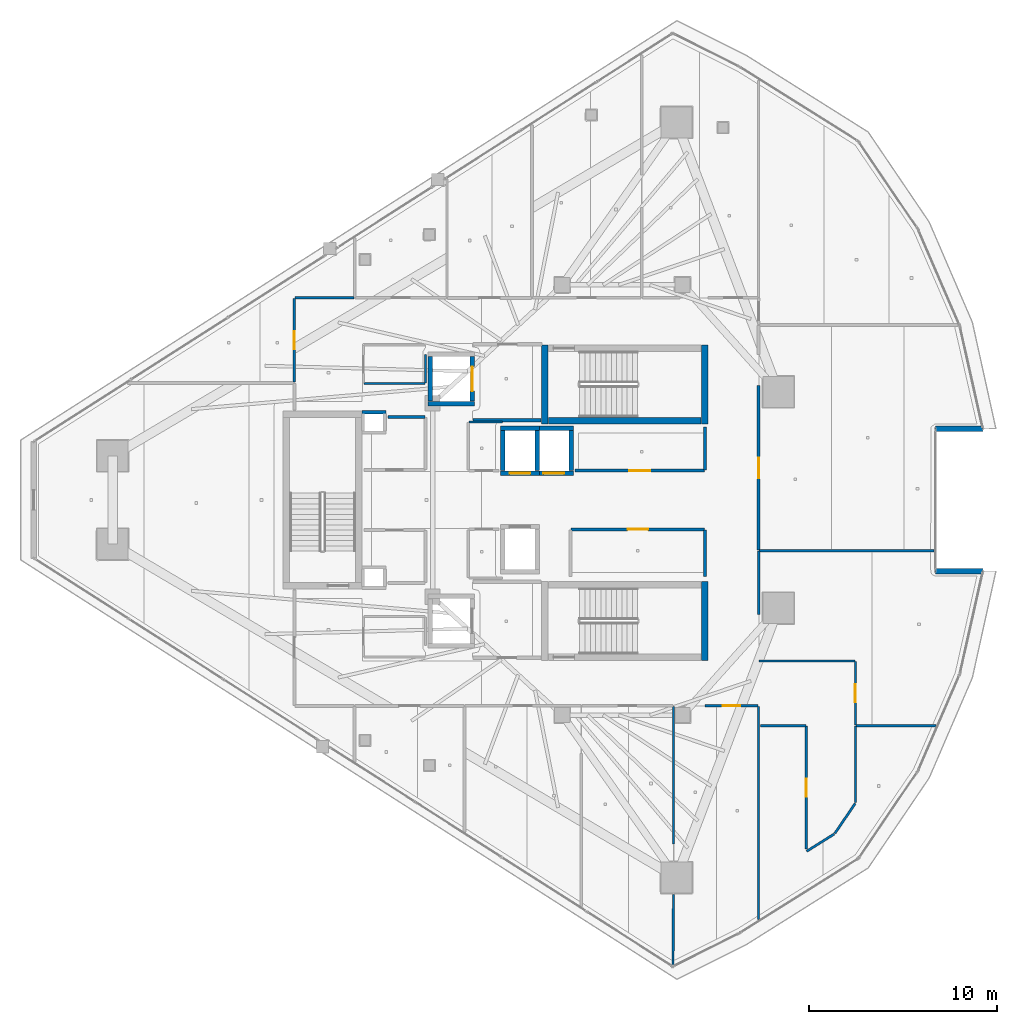
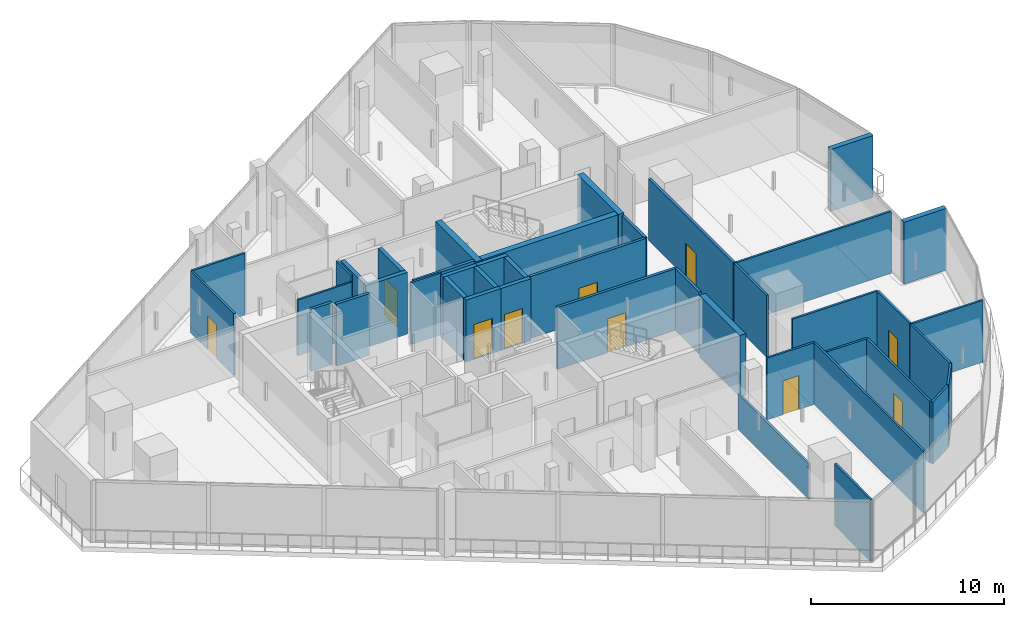
# One storey, part 24 of 33: 43 walls, 10 doors, 10 openings.
"""IFC4 building model written with IfcOpenShell, lengths in metres."""

from ifc_helpers import new_model, si_unit, direction, frame, frame_2d, origin, place, context, subcontext, project, spatial, rectangle, extrude, material, layer, layer_set, type_object, element, fill, save


model = new_model("IFC4")

# Units and contexts
model_context = context("Model", 3, precision=1e-05, world=origin(), true_north=direction((0.0, 1.0)))
body_context = subcontext(model_context, "Body", "Model", "MODEL_VIEW")
ifc_project = project(units=[si_unit("LENGTHUNIT", "METRE"), si_unit("AREAUNIT", "SQUARE_METRE"), si_unit("VOLUMEUNIT", "CUBIC_METRE"), si_unit("PLANEANGLEUNIT", "RADIAN"), si_unit("MASSUNIT", "GRAM", prefix="KILO")], contexts=[model_context])

# Site, building, storey
site_placement = place(None, origin())
site = spatial("IfcSite", under=ifc_project, at=site_placement, CompositionType="ELEMENT")
building_placement = place(site_placement, origin())
building = spatial("IfcBuilding", under=site, at=building_placement, Name="Qorvath Tower", CompositionType="ELEMENT")
storey_placement = place(building_placement, frame((0.0, 0.0, 280.800048828125)))
storey = spatial("IfcBuildingStorey", under=building, at=storey_placement, Name="L65", CompositionType="ELEMENT", Elevation=280.800048828125)

# Walls
ifc_material_1 = material(Name="Gypsum shaftliner on steel studs", Category="steel")
ifc_layer_1 = layer(ifc_material_1, 0.179931640625)
ifc_layer_set_1 = layer_set([ifc_layer_1], Name="FW-LOBBY")
wall_type_1 = type_object("IfcWallType", Name="FW-LOBBY", PredefinedType="PARTITIONING", material=ifc_layer_set_1)
wall_1_placement = place(storey_placement, frame((-34.260009765625, 4.675048828125, 0.0), z_axis=(0.0, 0.0, 1.0), x_axis=(1.0, 0.0, 0.0)))
element("IfcWall", 1, at=wall_1_placement, inside=storey, type_object=wall_type_1, Name="MEP Riser Shaft Enclosure Wall N-L65-N", PredefinedType="PARTITIONING", context=body_context, shape_type="SweptSolid", body=[
    extrude(rectangle(XDim=1.27001953125, YDim=0.179931640625, at=frame_2d((0.635009765625, 0.0))), origin(), (0.0, 0.0, 1.0), 3.909912109375),
])
wall_2_placement = place(storey_placement, frame((-28.35498046875, 4.25, 0.0), z_axis=(0.0, 0.0, 1.0), x_axis=(1.0, 0.0, 0.0)))
element("IfcWall", 2, at=wall_2_placement, inside=storey, type_object=wall_type_1, Name="Interior Partition IW-T1-L65-001", PredefinedType="PARTITIONING", context=body_context, shape_type="SweptSolid", body=[
    extrude(rectangle(XDim=3.6220703125, YDim=0.179931640625, at=frame_2d((1.81103515625, 0.0))), origin(), (0.0, 0.0, 1.0), 3.909912109375),
])
wall_3_placement = place(storey_placement, frame((-30.90478515625, 4.419921875, 0.0), z_axis=(0.0, 0.0, 1.0), x_axis=(-1.0, 0.0, 0.0)))
element("IfcWall", 3, at=wall_3_placement, inside=storey, type_object=wall_type_1, Name="Interior Partition IW-T1-L65-026", PredefinedType="PARTITIONING", context=body_context, shape_type="SweptSolid", body=[
    extrude(rectangle(XDim=1.97509765625, YDim=0.179931640625, at=frame_2d((0.987548828125, 0.0))), origin(), (0.0, 0.0, 1.0), 3.909912109375),
])

# Wall, opening, door
ifc_material_2 = material(Name="Double acoustic gypsum board on steel studs", Category="steel")
ifc_layer_2 = layer(ifc_material_2, 0.159912109375)
ifc_layer_set_2 = layer_set([ifc_layer_2], Name="IW-ACOUSTIC-160")
wall_type_2 = type_object("IfcWallType", Name="IW-ACOUSTIC-160", PredefinedType="PARTITIONING", material=ifc_layer_set_2)
wall_4_placement = place(storey_placement, frame((-22.933837890625, 1.56005859375, 0.0), z_axis=(0.0, 0.0, 1.0), x_axis=(1.0, 0.0, 0.0)))
wall_4 = element("IfcWall", 4, at=wall_4_placement, inside=storey, type_object=wall_type_2, Name="Interior Partition IW-T1-L65-013", PredefinedType="PARTITIONING", context=body_context, shape_type="SweptSolid", body=[
    extrude(rectangle(XDim=6.908935546875, YDim=0.159912109375, at=frame_2d((3.45458984375, 0.0))), origin(), (0.0, 0.0, 1.0), 3.909912109375),
])
opening_1_placement = place(wall_4_placement, frame((2.904541015625, 0.0, 0.0)))
opening_1 = element("IfcOpeningElement", 5, at=opening_1_placement, cuts=wall_4, Name="Opening D-T1-L65-03", PredefinedType="OPENING", context=body_context, shape_type="SweptSolid", body=[
    extrude(rectangle(XDim=1.10009765625, YDim=2.14990234375, at=frame_2d((0.550048828125, 1.074951171875))), frame((0.0, 0.08984375, 0.0), z_axis=(0.0, -1.0, 0.0), x_axis=(1.0, 0.0, 0.0)), (0.0, 0.0, 1.0), 0.179931640625),
])
ifc_material_3 = material(Name="Anodised aluminium acoustic framed glass", Category="aluminium")
door_type_1 = type_object("IfcDoorType", Name="D-03", OperationType="NOTDEFINED", PredefinedType="DOOR", material=ifc_material_3)
door_1_placement = place(opening_1_placement, origin())
door_1 = element("IfcDoor", 6, at=door_1_placement, inside=storey, type_object=door_type_1, Name="L65-RCN North Executive Support Office Door D-T1-L65-03", OperationType="SINGLE_SWING_RIGHT", OverallHeight=2.14990234375, OverallWidth=1.10009765625, PredefinedType="DOOR", context=body_context, shape_type="SweptSolid", body=[
    extrude(rectangle(XDim=1.10009765625, YDim=2.14990234375, at=frame_2d((0.550048828125, 1.074951171875))), frame((0.0, 0.02490234375, 0.0), z_axis=(0.0, -1.0, 0.0), x_axis=(1.0, 0.0, 0.0)), (0.0, 0.0, 1.0), 0.050048828125),
])
fill(opening_1, door_1)

# Walls
wall_5_placement = place(storey_placement, frame((-16.0, 1.585205078125, 0.0), z_axis=(0.0, 0.0, 1.0), x_axis=(0.0, 1.0, 0.0)))
element("IfcWall", 7, at=wall_5_placement, inside=storey, type_object=wall_type_2, Name="Interior Partition IW-T1-L65-014", PredefinedType="PARTITIONING", context=body_context, shape_type="SweptSolid", body=[
    extrude(rectangle(XDim=2.30224609375, YDim=0.159912109375, at=frame_2d((1.151123046875, 0.0))), origin(), (0.0, 0.0, 1.0), 3.909912109375),
])
wall_6_placement = place(storey_placement, frame((-16.0, -4.0751953125, 0.0), z_axis=(0.0, 0.0, 1.0), x_axis=(0.0, 1.0, 0.0)))
element("IfcWall", 8, at=wall_6_placement, inside=storey, type_object=wall_type_2, Name="Interior Partition IW-T1-L65-016", PredefinedType="PARTITIONING", context=body_context, shape_type="SweptSolid", body=[
    extrude(rectangle(XDim=2.489990234375, YDim=0.159912109375, at=frame_2d((1.2451171875, 0.0))), origin(), (0.0, 0.0, 1.0), 3.909912109375),
])

# Wall, opening, door
wall_7_placement = place(storey_placement, frame((-16.02490234375, -1.56005859375, 0.0), z_axis=(0.0, 0.0, 1.0), x_axis=(-1.0, 0.0, 0.0)))
wall_7 = element("IfcWall", 9, at=wall_7_placement, inside=storey, type_object=wall_type_2, Name="Interior Partition IW-T1-L65-017", PredefinedType="PARTITIONING", context=body_context, shape_type="SweptSolid", body=[
    extrude(rectangle(XDim=7.10009765625, YDim=0.159912109375, at=frame_2d((3.550048828125, 0.0))), origin(), (0.0, 0.0, 1.0), 3.909912109375),
])
opening_2_placement = place(wall_7_placement, frame((3.0, 0.0, 0.0)))
opening_2 = element("IfcOpeningElement", 10, at=opening_2_placement, cuts=wall_7, Name="Opening D-T1-L65-04", PredefinedType="OPENING", context=body_context, shape_type="SweptSolid", body=[
    extrude(rectangle(XDim=1.10009765625, YDim=2.14990234375, at=frame_2d((0.550048828125, 1.074951171875))), frame((0.0, 0.08984375, 0.0), z_axis=(0.0, -1.0, 0.0), x_axis=(1.0, 0.0, 0.0)), (0.0, 0.0, 1.0), 0.179931640625),
])
door_2_placement = place(opening_2_placement, origin())
door_2 = element("IfcDoor", 11, at=door_2_placement, inside=storey, type_object=door_type_1, Name="L65-RCS South Executive Support Office Door D-T1-L65-04", OperationType="SINGLE_SWING_LEFT", OverallHeight=2.14990234375, OverallWidth=1.10009765625, PredefinedType="DOOR", context=body_context, shape_type="SweptSolid", body=[
    extrude(rectangle(XDim=1.10009765625, YDim=2.14990234375, at=frame_2d((0.550048828125, 1.074951171875))), frame((0.0, 0.02490234375, 0.0), z_axis=(0.0, -1.0, 0.0), x_axis=(1.0, 0.0, 0.0)), (0.0, 0.0, 1.0), 0.050048828125),
])
fill(opening_2, door_2)

wall_8_placement = place(storey_placement, frame((-13.14208984375, 6.08984375, 0.0), z_axis=(0.0, 0.0, 1.0), x_axis=(0.0, -1.0, 0.0)))
wall_8 = element("IfcWall", 12, at=wall_8_placement, inside=storey, type_object=wall_type_2, Name="Interior Partition IW-T1-L65-063", PredefinedType="PARTITIONING", context=body_context, shape_type="SweptSolid", body=[
    extrude(rectangle(XDim=8.759033203125, YDim=0.159912109375, at=frame_2d((4.37939453125, 0.0))), origin(), (0.0, 0.0, 1.0), 3.909912109375),
])
opening_3_placement = place(wall_8_placement, frame((3.82958984375, 0.0, 0.0)))
opening_3 = element("IfcOpeningElement", 13, at=opening_3_placement, cuts=wall_8, Name="Opening D-T1-L65-17", PredefinedType="OPENING", context=body_context, shape_type="SweptSolid", body=[
    extrude(rectangle(XDim=1.10009765625, YDim=2.14990234375, at=frame_2d((0.550048828125, 1.074951171875))), frame((0.0, 0.08984375, 0.0), z_axis=(0.0, -1.0, 0.0), x_axis=(1.0, 0.0, 0.0)), (0.0, 0.0, 1.0), 0.179931640625),
])
door_3_placement = place(opening_3_placement, origin())
door_3 = element("IfcDoor", 14, at=door_3_placement, inside=storey, type_object=door_type_1, Name="L65-11 Digital Visualization Suite Door D-T1-L65-17", OperationType="SINGLE_SWING_RIGHT", OverallHeight=2.14990234375, OverallWidth=1.10009765625, PredefinedType="DOOR", context=body_context, shape_type="SweptSolid", body=[
    extrude(rectangle(XDim=1.10009765625, YDim=2.14990234375, at=frame_2d((0.550048828125, 1.074951171875))), frame((0.0, 0.02490234375, 0.0), z_axis=(0.0, -1.0, 0.0), x_axis=(1.0, 0.0, 0.0)), (0.0, 0.0, 1.0), 0.050048828125),
])
fill(opening_3, door_3)

# Walls
ifc_material_4 = material(Name="Gypsum board on metal studs with mineral wool", Category="gypsum")
ifc_layer_3 = layer(ifc_material_4, 0.125)
ifc_layer_set_3 = layer_set([ifc_layer_3], Name="IW-PART-125")
wall_type_3 = type_object("IfcWallType", Name="IW-PART-125", PredefinedType="PARTITIONING", material=ifc_layer_set_3)
wall_9_placement = place(storey_placement, frame((-26.77490234375, 4.14990234375, 0.0), z_axis=(0.0, 0.0, 1.0), x_axis=(-1.0, 0.0, 0.0)))
element("IfcWall", 15, at=wall_9_placement, inside=storey, type_object=wall_type_3, Name="Interior Partition IW-T1-L65-020", PredefinedType="PARTITIONING", context=body_context, shape_type="SweptSolid", body=[
    extrude(rectangle(XDim=1.80029296875, YDim=0.125, at=frame_2d((0.900146484375, 0.0))), origin(), (0.0, 0.0, 1.0), 3.909912109375),
])
wall_10_placement = place(storey_placement, frame((-17.70703125, -24.75146484375, 0.0), z_axis=(0.0, 0.0, 1.0), x_axis=(0.008181544341, 0.999966530606, 0.0)))
element("IfcWall", 16, at=wall_10_placement, inside=storey, type_object=wall_type_3, Name="Interior Partition IW-T1-L65-047", PredefinedType="PARTITIONING", context=body_context, shape_type="SweptSolid", body=[
    extrude(rectangle(XDim=3.760009765625, YDim=0.125, at=frame_2d((1.8798828125, 0.0))), origin(), (0.0, 0.0, 1.0), 3.909912109375),
])
wall_11_placement = place(storey_placement, frame((-17.676025390625, -18.3076171875, 0.0), z_axis=(0.0, 0.0, 1.0), x_axis=(0.0, 1.0, 0.0)))
element("IfcWall", 17, at=wall_11_placement, inside=storey, type_object=wall_type_3, Name="Interior Partition IW-T1-L65-048", PredefinedType="PARTITIONING", context=body_context, shape_type="SweptSolid", body=[
    extrude(rectangle(XDim=7.32470703125, YDim=0.125, at=frame_2d((3.662353515625, 0.0))), origin(), (0.0, 0.0, 1.0), 2.25),
])
wall_12_placement = place(storey_placement, frame((-13.14990234375, -22.34228515625, 0.0), z_axis=(0.0, 0.0, 1.0), x_axis=(0.0, 1.0, 0.0)))
element("IfcWall", 18, at=wall_12_placement, inside=storey, type_object=wall_type_3, Name="Interior Partition IW-T1-L65-049", PredefinedType="PARTITIONING", context=body_context, shape_type="SweptSolid", body=[
    extrude(rectangle(XDim=11.359375, YDim=0.125, at=frame_2d((5.6796875, 0.0))), origin(), (0.0, 0.0, 1.0), 3.909912109375),
])

# Wall, opening, door
wall_13_placement = place(storey_placement, frame((-13.1748046875, -10.9580078125, 0.0), z_axis=(0.0, 0.0, 1.0), x_axis=(-1.0, 0.0, 0.0)))
wall_13 = element("IfcWall", 19, at=wall_13_placement, inside=storey, type_object=wall_type_3, Name="Interior Partition IW-T1-L65-050", PredefinedType="PARTITIONING", context=body_context, shape_type="SweptSolid", body=[
    extrude(rectangle(XDim=2.833740234375, YDim=0.125, at=frame_2d((1.4169921875, 0.0))), origin(), (0.0, 0.0, 1.0), 3.909912109375),
])
opening_4_placement = place(wall_13_placement, frame((0.94189453125, 0.0, 0.0)))
opening_4 = element("IfcOpeningElement", 20, at=opening_4_placement, cuts=wall_13, Name="Opening D-T1-L65-24", PredefinedType="OPENING", context=body_context, shape_type="SweptSolid", body=[
    extrude(rectangle(XDim=0.949951171875, YDim=2.14990234375, at=frame_2d((0.47509765625, 1.074951171875))), frame((0.0, 0.072509765625, 0.0), z_axis=(0.0, -1.0, 0.0), x_axis=(1.0, 0.0, 0.0)), (0.0, 0.0, 1.0), 0.14501953125),
])
ifc_material_5 = material(Name="Solid-core American white oak veneer", Category="wood")
door_type_2 = type_object("IfcDoorType", Name="D-01", OperationType="NOTDEFINED", PredefinedType="DOOR", material=ifc_material_5)
door_4_placement = place(opening_4_placement, origin())
door_4 = element("IfcDoor", 21, at=door_4_placement, inside=storey, type_object=door_type_2, Name="L65-08 Design Pin-Up Atelier Door D-T1-L65-24", OperationType="SINGLE_SWING_LEFT", OverallHeight=2.14990234375, OverallWidth=0.949951171875, PredefinedType="DOOR", context=body_context, shape_type="SweptSolid", body=[
    extrude(rectangle(XDim=0.949951171875, YDim=2.14990234375, at=frame_2d((0.47509765625, 1.074951171875))), frame((0.0, 0.02490234375, 0.0), z_axis=(0.0, -1.0, 0.0), x_axis=(1.0, 0.0, 0.0)), (0.0, 0.0, 1.0), 0.050048828125),
])
fill(opening_4, door_4)

# Walls
wall_14_placement = place(storey_placement, frame((-3.705810546875, -12.018310546875, 0.0), z_axis=(0.0, 0.0, 1.0), x_axis=(-1.0, 0.0, 0.0)))
element("IfcWall", 22, at=wall_14_placement, inside=storey, type_object=wall_type_3, Name="Interior Partition IW-T1-L65-051", PredefinedType="PARTITIONING", context=body_context, shape_type="SweptSolid", body=[
    extrude(rectangle(XDim=4.260986328125, YDim=0.125, at=frame_2d((2.13037109375, 0.0))), origin(), (0.0, 0.0, 1.0), 3.909912109375),
])
wall_15_placement = place(storey_placement, frame((-7.991943359375, -16.107421875, 0.0), z_axis=(0.0, 0.0, 1.0), x_axis=(0.0, 1.0, 0.0)))
element("IfcWall", 23, at=wall_15_placement, inside=storey, type_object=wall_type_3, Name="Interior Partition IW-T1-L65-052", PredefinedType="PARTITIONING", context=body_context, shape_type="SweptSolid", body=[
    extrude(rectangle(XDim=4.064208984375, YDim=0.125, at=frame_2d((2.0322265625, 0.0))), origin(), (0.0, 0.0, 1.0), 3.909912109375),
])
wall_16_placement = place(storey_placement, frame((-9.08837890625, -17.74658203125, 0.0), z_axis=(0.0, 0.0, 1.0), x_axis=(0.561932122231, 0.827183347272, 0.0)))
element("IfcWall", 24, at=wall_16_placement, inside=storey, type_object=wall_type_3, Name="Interior Partition IW-T1-L65-053", PredefinedType="PARTITIONING", context=body_context, shape_type="SweptSolid", body=[
    extrude(rectangle(XDim=1.926513671875, YDim=0.125, at=frame_2d((0.96337890625, 0.0))), origin(), (0.0, 0.0, 1.0), 3.909912109375),
])
wall_17_placement = place(storey_placement, frame((-10.586669921875, -18.69873046875, 0.0), z_axis=(0.0, 0.0, 1.0), x_axis=(0.846980281721, 0.531624305666, 0.0)))
element("IfcWall", 25, at=wall_17_placement, inside=storey, type_object=wall_type_3, Name="Interior Partition IW-T1-L65-054", PredefinedType="PARTITIONING", context=body_context, shape_type="SweptSolid", body=[
    extrude(rectangle(XDim=1.727294921875, YDim=0.125, at=frame_2d((0.86376953125, 0.0))), origin(), (0.0, 0.0, 1.0), 3.909912109375),
])

# Wall, opening, door
wall_18_placement = place(storey_placement, frame((-10.60791015625, -12.043212890625, 0.0), z_axis=(0.0, 0.0, 1.0), x_axis=(0.0, -1.0, 0.0)))
wall_18 = element("IfcWall", 26, at=wall_18_placement, inside=storey, type_object=wall_type_3, Name="Interior Partition IW-T1-L65-055", PredefinedType="PARTITIONING", context=body_context, shape_type="SweptSolid", body=[
    extrude(rectangle(XDim=6.54345703125, YDim=0.125, at=frame_2d((3.271728515625, 0.0))), origin(), (0.0, 0.0, 1.0), 3.909912109375),
])
opening_5_placement = place(wall_18_placement, frame((2.796630859375, 0.0, 0.0)))
opening_5 = element("IfcOpeningElement", 27, at=opening_5_placement, cuts=wall_18, Name="Opening D-T1-L65-15", PredefinedType="OPENING", context=body_context, shape_type="SweptSolid", body=[
    extrude(rectangle(XDim=0.949951171875, YDim=2.14990234375, at=frame_2d((0.47509765625, 1.074951171875))), frame((0.0, 0.072509765625, 0.0), z_axis=(0.0, -1.0, 0.0), x_axis=(1.0, 0.0, 0.0)), (0.0, 0.0, 1.0), 0.14501953125),
])
door_5_placement = place(opening_5_placement, origin())
door_5 = element("IfcDoor", 28, at=door_5_placement, inside=storey, type_object=door_type_2, Name="L65-09 Executive Partner Office Door D-T1-L65-15", OperationType="SINGLE_SWING_RIGHT", OverallHeight=2.14990234375, OverallWidth=0.949951171875, PredefinedType="DOOR", context=body_context, shape_type="SweptSolid", body=[
    extrude(rectangle(XDim=0.949951171875, YDim=2.14990234375, at=frame_2d((0.47509765625, 1.074951171875))), frame((0.0, 0.02490234375, 0.0), z_axis=(0.0, -1.0, 0.0), x_axis=(1.0, 0.0, 0.0)), (0.0, 0.0, 1.0), 0.050048828125),
])
fill(opening_5, door_5)

# Walls
wall_19_placement = place(storey_placement, frame((-10.6328125, -12.018310546875, 0.0), z_axis=(0.0, 0.0, 1.0), x_axis=(-1.0, 0.0, 0.0)))
element("IfcWall", 29, at=wall_19_placement, inside=storey, type_object=wall_type_3, Name="Interior Partition IW-T1-L65-056", PredefinedType="PARTITIONING", context=body_context, shape_type="SweptSolid", body=[
    extrude(rectangle(XDim=2.406982421875, YDim=0.125, at=frame_2d((1.20361328125, 0.0))), origin(), (0.0, 0.0, 1.0), 3.909912109375),
])
wall_20_placement = place(storey_placement, frame((-3.81396484375, -2.702392578125, 0.0), z_axis=(0.0, 0.0, 1.0), x_axis=(-1.0, 0.0, 0.0)))
element("IfcWall", 30, at=wall_20_placement, inside=storey, type_object=wall_type_3, Name="Interior Partition IW-T1-L65-057", PredefinedType="PARTITIONING", context=body_context, shape_type="SweptSolid", body=[
    extrude(rectangle(XDim=9.30322265625, YDim=0.125, at=frame_2d((4.651611328125, 0.0))), origin(), (0.0, 0.0, 1.0), 3.909912109375),
])
wall_21_placement = place(storey_placement, frame((-13.14208984375, -2.727294921875, 0.0), z_axis=(0.0, 0.0, 1.0), x_axis=(0.0, -1.0, 0.0)))
element("IfcWall", 31, at=wall_21_placement, inside=storey, type_object=wall_type_3, Name="Interior Partition IW-T1-L65-058", PredefinedType="PARTITIONING", context=body_context, shape_type="SweptSolid", body=[
    extrude(rectangle(XDim=3.362548828125, YDim=0.125, at=frame_2d((1.68115234375, 0.0))), origin(), (0.0, 0.0, 1.0), 3.909912109375),
])
wall_22_placement = place(storey_placement, frame((-13.1171875, -8.572021484375, 0.0), z_axis=(0.0, 0.0, 1.0), x_axis=(1.0, 0.0, 0.0)))
element("IfcWall", 32, at=wall_22_placement, inside=storey, type_object=wall_type_3, Name="Interior Partition IW-T1-L65-059", PredefinedType="PARTITIONING", context=body_context, shape_type="SweptSolid", body=[
    extrude(rectangle(XDim=5.100341796875, YDim=0.125, at=frame_2d((2.55029296875, 0.0))), origin(), (0.0, 0.0, 1.0), 3.909912109375),
])

# Wall, opening, door
wall_23_placement = place(storey_placement, frame((-7.991943359375, -8.596923828125, 0.0), z_axis=(0.0, 0.0, 1.0), x_axis=(0.0, -1.0, 0.0)))
wall_23 = element("IfcWall", 33, at=wall_23_placement, inside=storey, type_object=wall_type_3, Name="Interior Partition IW-T1-L65-060", PredefinedType="PARTITIONING", context=body_context, shape_type="SweptSolid", body=[
    extrude(rectangle(XDim=3.388427734375, YDim=0.125, at=frame_2d((1.6943359375, 0.0))), origin(), (0.0, 0.0, 1.0), 3.909912109375),
])
opening_6_placement = place(wall_23_placement, frame((1.21923828125, 0.0, 0.0)))
opening_6 = element("IfcOpeningElement", 34, at=opening_6_placement, cuts=wall_23, Name="Opening D-T1-L65-16", PredefinedType="OPENING", context=body_context, shape_type="SweptSolid", body=[
    extrude(rectangle(XDim=0.949951171875, YDim=2.14990234375, at=frame_2d((0.47509765625, 1.074951171875))), frame((0.0, 0.072509765625, 0.0), z_axis=(0.0, -1.0, 0.0), x_axis=(1.0, 0.0, 0.0)), (0.0, 0.0, 1.0), 0.14501953125),
])
door_6_placement = place(opening_6_placement, origin())
door_6 = element("IfcDoor", 35, at=door_6_placement, inside=storey, type_object=door_type_2, Name="L65-10 Breakout Reading Alcove Door D-T1-L65-16", OperationType="SINGLE_SWING_LEFT", OverallHeight=2.14990234375, OverallWidth=0.949951171875, PredefinedType="DOOR", context=body_context, shape_type="SweptSolid", body=[
    extrude(rectangle(XDim=0.949951171875, YDim=2.14990234375, at=frame_2d((0.47509765625, 1.074951171875))), frame((0.0, 0.02490234375, 0.0), z_axis=(0.0, -1.0, 0.0), x_axis=(1.0, 0.0, 0.0)), (0.0, 0.0, 1.0), 0.050048828125),
])
fill(opening_6, door_6)

wall_24_placement = place(storey_placement, frame((-37.85791015625, 6.272705078125, 0.0), z_axis=(0.0, 0.0, 1.0), x_axis=(0.0, 1.0, 0.0)))
wall_24 = element("IfcWall", 36, at=wall_24_placement, inside=storey, type_object=wall_type_3, Name="Interior Partition IW-T1-L65-069", PredefinedType="PARTITIONING", context=body_context, shape_type="SweptSolid", body=[
    extrude(rectangle(XDim=4.46044921875, YDim=0.125, at=frame_2d((2.230224609375, 0.0))), origin(), (0.0, 0.0, 1.0), 3.909912109375),
])
opening_7_placement = place(wall_24_placement, frame((1.75537109375, 0.0, 0.0)))
opening_7 = element("IfcOpeningElement", 37, at=opening_7_placement, cuts=wall_24, Name="Opening D-T1-L65-19", PredefinedType="OPENING", context=body_context, shape_type="SweptSolid", body=[
    extrude(rectangle(XDim=0.949951171875, YDim=2.14990234375, at=frame_2d((0.47509765625, 1.074951171875))), frame((0.0, 0.072509765625, 0.0), z_axis=(0.0, -1.0, 0.0), x_axis=(1.0, 0.0, 0.0)), (0.0, 0.0, 1.0), 0.14501953125),
])
door_7_placement = place(opening_7_placement, origin())
door_7 = element("IfcDoor", 38, at=door_7_placement, inside=storey, type_object=door_type_2, Name="L65-14 Open Workplace Studio Door D-T1-L65-19", OperationType="SINGLE_SWING_RIGHT", OverallHeight=2.14990234375, OverallWidth=0.949951171875, PredefinedType="DOOR", context=body_context, shape_type="SweptSolid", body=[
    extrude(rectangle(XDim=0.949951171875, YDim=2.14990234375, at=frame_2d((0.47509765625, 1.074951171875))), frame((0.0, 0.02490234375, 0.0), z_axis=(0.0, -1.0, 0.0), x_axis=(1.0, 0.0, 0.0)), (0.0, 0.0, 1.0), 0.050048828125),
])
fill(opening_7, door_7)

# Walls
wall_25_placement = place(storey_placement, frame((-34.68310546875, 10.758056640625, 0.0), z_axis=(0.0, 0.0, 1.0), x_axis=(-1.0, 0.0, 0.0)))
element("IfcWall", 39, at=wall_25_placement, inside=storey, type_object=wall_type_3, Name="Interior Partition IW-T1-L65-070", PredefinedType="PARTITIONING", context=body_context, shape_type="SweptSolid", body=[
    extrude(rectangle(XDim=3.14990234375, YDim=0.125, at=frame_2d((1.574951171875, 0.0))), origin(), (0.0, 0.0, 1.0), 3.909912109375),
])
ifc_material_6 = material(Name="Moisture-resistant cement board on metal studs", Category="gypsum")
ifc_layer_4 = layer(ifc_material_6, 0.110107421875)
ifc_layer_set_4 = layer_set([ifc_layer_4], Name="IW-WC-110")
wall_type_4 = type_object("IfcWallType", Name="IW-WC-110", PredefinedType="PARTITIONING", material=ifc_layer_set_4)
wall_26_placement = place(storey_placement, frame((-34.15478515625, 6.199951171875, 0.0), z_axis=(0.0, 0.0, 1.0), x_axis=(1.0, 0.0, 0.0)))
element("IfcWall", 40, at=wall_26_placement, inside=storey, type_object=wall_type_4, Name="Interior Partition IW-T1-L65-006", PredefinedType="PARTITIONING", context=body_context, shape_type="SweptSolid", body=[
    extrude(rectangle(XDim=3.25, YDim=0.110107421875, at=frame_2d((1.625, 0.0))), origin(), (0.0, 0.0, 1.0), 3.52880859375),
])
wall_27_placement = place(storey_placement, frame((-30.8798828125, 6.22509765625, 0.0), z_axis=(0.0, 0.0, 1.0), x_axis=(0.0, 1.0, 0.0)))
element("IfcWall", 41, at=wall_27_placement, inside=storey, type_object=wall_type_4, Name="Interior Partition IW-T1-L65-007", PredefinedType="PARTITIONING", context=body_context, shape_type="SweptSolid", body=[
    extrude(rectangle(XDim=1.517822265625, YDim=0.110107421875, at=frame_2d((0.7587890625, 0.0))), origin(), (0.0, 0.0, 1.0), 3.909912109375),
])
ifc_material_7 = material(Name="Concrete C60/75", Category="concrete")
ifc_layer_5 = layer(ifc_material_7, 0.260009765625)
ifc_layer_set_5 = layer_set([ifc_layer_5], Name="SW-SHAFT")
wall_type_5 = type_object("IfcWallType", Name="SW-SHAFT", PredefinedType="SHEAR", material=ifc_layer_set_5)
wall_28_placement = place(storey_placement, frame((-28.260009765625, 5.1298828125, 0.0), z_axis=(0.0, 0.0, 1.0), x_axis=(-1.0, 0.0, 0.0)))
element("IfcWall", 42, at=wall_28_placement, inside=storey, type_object=wall_type_5, Name="Hoistway Wall FSAE-1 L65 S", PredefinedType="SHEAR", context=body_context, shape_type="SweptSolid", body=[
    extrude(rectangle(XDim=2.47998046875, YDim=0.239990234375, at=frame_2d((1.239990234375, 0.0))), origin(), (0.0, 0.0, 1.0), 3.909912109375),
])
wall_29_placement = place(storey_placement, frame((-30.6201171875, 5.261962890625, 0.0), z_axis=(0.0, 0.0, 1.0), x_axis=(0.0, 1.0, 0.0)))
element("IfcWall", 43, at=wall_29_placement, inside=storey, type_object=wall_type_5, Name="Hoistway Wall FSAE-1 L65 W", PredefinedType="SHEAR", context=body_context, shape_type="SweptSolid", body=[
    extrude(rectangle(XDim=2.3759765625, YDim=0.239990234375, at=frame_2d((1.18798828125, 0.0))), origin(), (0.0, 0.0, 1.0), 3.909912109375),
])

# Wall, opening, door
wall_30_placement = place(storey_placement, frame((-28.3798828125, 7.637939453125, 0.0), z_axis=(0.0, 0.0, 1.0), x_axis=(0.0, -1.0, 0.0)))
wall_30 = element("IfcWall", 44, at=wall_30_placement, inside=storey, type_object=wall_type_5, Name="Hoistway Wall FSAE-1 L65 E", PredefinedType="SHEAR", context=body_context, shape_type="SweptSolid", body=[
    extrude(rectangle(XDim=2.3759765625, YDim=0.239990234375, at=frame_2d((1.18798828125, 0.0))), origin(), (0.0, 0.0, 1.0), 3.909912109375),
])
opening_8_placement = place(wall_30_placement, frame((0.537841796875, 0.0, 0.0)))
opening_8 = element("IfcOpeningElement", 45, at=opening_8_placement, cuts=wall_30, Name="Opening LD-FSAE-1-L65", PredefinedType="OPENING", context=body_context, shape_type="SweptSolid", body=[
    extrude(rectangle(XDim=1.300048828125, YDim=2.300048828125, at=frame_2d((0.64990234375, 1.14990234375))), frame((0.0, 0.1298828125, 0.0), z_axis=(0.0, -1.0, 0.0), x_axis=(1.0, 0.0, 0.0)), (0.0, 0.0, 1.0), 0.260009765625),
])
ifc_material_8 = material(Name="Brushed stainless steel AISI 316", Category="steel")
door_type_3 = type_object("IfcDoorType", Name="LD-02", OperationType="NOTDEFINED", PredefinedType="DOOR", material=ifc_material_8)
door_8_placement = place(opening_8_placement, origin())
door_8 = element("IfcDoor", 46, at=door_8_placement, inside=storey, type_object=door_type_3, Name="Elevator Landing Sliding Door LD-FSAE-1-L65", OperationType="DOUBLE_DOOR_SLIDING", OverallHeight=2.300048828125, OverallWidth=1.300048828125, PredefinedType="DOOR", context=body_context, shape_type="SweptSolid", body=[
    extrude(rectangle(XDim=1.300048828125, YDim=2.300048828125, at=frame_2d((0.64990234375, 1.14990234375))), frame((0.0, 0.02490234375, 0.0), z_axis=(0.0, -1.0, 0.0), x_axis=(1.0, 0.0, 0.0)), (0.0, 0.0, 1.0), 0.050048828125),
])
fill(opening_8, door_8)

wall_31_placement = place(storey_placement, frame((-24.81005859375, 1.429931640625, 0.0), z_axis=(0.0, 0.0, 1.0), x_axis=(-1.0, 0.0, 0.0)))
wall_31 = element("IfcWall", 47, at=wall_31_placement, inside=storey, type_object=wall_type_5, Name="Hoistway Wall PH-1 L65 S", PredefinedType="SHEAR", context=body_context, shape_type="SweptSolid", body=[
    extrude(rectangle(XDim=2.079833984375, YDim=0.239990234375, at=frame_2d((1.0400390625, 0.0))), origin(), (0.0, 0.0, 1.0), 3.909912109375),
])
opening_9_placement = place(wall_31_placement, frame((0.489990234375, 0.0, 0.0)))
opening_9 = element("IfcOpeningElement", 48, at=opening_9_placement, cuts=wall_31, Name="Opening LD-PH-1-L65", PredefinedType="OPENING", context=body_context, shape_type="SweptSolid", body=[
    extrude(rectangle(XDim=1.10009765625, YDim=2.199951171875, at=frame_2d((0.550048828125, 1.10009765625))), frame((0.0, 0.1298828125, 0.0), z_axis=(0.0, -1.0, 0.0), x_axis=(1.0, 0.0, 0.0)), (0.0, 0.0, 1.0), 0.260009765625),
])
ifc_material_9 = material(Name="Brushed stainless steel AISI 316", Category="steel")
door_type_4 = type_object("IfcDoorType", Name="LD-01", OperationType="NOTDEFINED", PredefinedType="DOOR", material=ifc_material_9)
door_9_placement = place(opening_9_placement, origin())
door_9 = element("IfcDoor", 49, at=door_9_placement, inside=storey, type_object=door_type_4, Name="Elevator Landing Sliding Door LD-PH-1-L65", OperationType="DOUBLE_DOOR_SLIDING", OverallHeight=2.199951171875, OverallWidth=1.10009765625, PredefinedType="DOOR", context=body_context, shape_type="SweptSolid", body=[
    extrude(rectangle(XDim=1.10009765625, YDim=2.199951171875, at=frame_2d((0.550048828125, 1.10009765625))), frame((0.0, 0.02490234375, 0.0), z_axis=(0.0, -1.0, 0.0), x_axis=(1.0, 0.0, 0.0)), (0.0, 0.0, 1.0), 0.050048828125),
])
fill(opening_9, door_9)

# Walls
wall_32_placement = place(storey_placement, frame((-26.889892578125, 3.820068359375, 0.0), z_axis=(0.0, 0.0, 1.0), x_axis=(1.0, 0.0, 0.0)))
element("IfcWall", 50, at=wall_32_placement, inside=storey, type_object=wall_type_5, Name="Hoistway Wall PH-1 L65 N", PredefinedType="SHEAR", context=body_context, shape_type="SweptSolid", body=[
    extrude(rectangle(XDim=2.079833984375, YDim=0.239990234375, at=frame_2d((1.0400390625, 0.0))), origin(), (0.0, 0.0, 1.0), 3.909912109375),
])
for number, where, z_axis, x_axis, name in (
    (51, (-26.77001953125, 1.56201171875, 0.0), (0.0, 0.0, 1.0), (0.0, 1.0, 0.0), "Hoistway Wall PH-1 L65 W"),
    (52, (-24.929931640625, 3.68798828125, 0.0), (0.0, 0.0, 1.0), (0.0, -1.0, 0.0), "Hoistway Wall PH-1 L65 E"),
):
    element("IfcWall", number, at=place(storey_placement, frame(where, z_axis=z_axis, x_axis=x_axis)), inside=storey, type_object=wall_type_5, Name=name, PredefinedType="SHEAR", context=body_context, shape_type="SweptSolid", body=[
        extrude(rectangle(XDim=2.1259765625, YDim=0.239990234375, at=frame_2d((1.06298828125, 0.0))), origin(), (0.0, 0.0, 1.0), 3.909912109375),
    ])

# Wall, opening, door
wall_33_placement = place(storey_placement, frame((-23.010009765625, 1.429931640625, 0.0), z_axis=(0.0, 0.0, 1.0), x_axis=(-1.0, 0.0, 0.0)))
wall_33 = element("IfcWall", 53, at=wall_33_placement, inside=storey, type_object=wall_type_5, Name="Hoistway Wall PH-2 L65 S", PredefinedType="SHEAR", context=body_context, shape_type="SweptSolid", body=[
    extrude(rectangle(XDim=1.800048828125, YDim=0.239990234375, at=frame_2d((0.89990234375, 0.0))), origin(), (0.0, 0.0, 1.0), 3.909912109375),
])
opening_10_placement = place(wall_33_placement, frame((0.489990234375, 0.0, 0.0)))
opening_10 = element("IfcOpeningElement", 54, at=opening_10_placement, cuts=wall_33, Name="Opening LD-PH-2-L65", PredefinedType="OPENING", context=body_context, shape_type="SweptSolid", body=[
    extrude(rectangle(XDim=1.10009765625, YDim=2.199951171875, at=frame_2d((0.550048828125, 1.10009765625))), frame((0.0, 0.1298828125, 0.0), z_axis=(0.0, -1.0, 0.0), x_axis=(1.0, 0.0, 0.0)), (0.0, 0.0, 1.0), 0.260009765625),
])
door_10_placement = place(opening_10_placement, origin())
door_10 = element("IfcDoor", 55, at=door_10_placement, inside=storey, type_object=door_type_4, Name="Elevator Landing Sliding Door LD-PH-2-L65", OperationType="DOUBLE_DOOR_SLIDING", OverallHeight=2.199951171875, OverallWidth=1.10009765625, PredefinedType="DOOR", context=body_context, shape_type="SweptSolid", body=[
    extrude(rectangle(XDim=1.10009765625, YDim=2.199951171875, at=frame_2d((0.550048828125, 1.10009765625))), frame((0.0, 0.02490234375, 0.0), z_axis=(0.0, -1.0, 0.0), x_axis=(1.0, 0.0, 0.0)), (0.0, 0.0, 1.0), 0.050048828125),
])
fill(opening_10, door_10)

# Walls
wall_34_placement = place(storey_placement, frame((-24.81005859375, 3.820068359375, 0.0), z_axis=(0.0, 0.0, 1.0), x_axis=(1.0, 0.0, 0.0)))
element("IfcWall", 56, at=wall_34_placement, inside=storey, type_object=wall_type_5, Name="Hoistway Wall PH-2 L65 N", PredefinedType="SHEAR", context=body_context, shape_type="SweptSolid", body=[
    extrude(rectangle(XDim=1.800048828125, YDim=0.239990234375, at=frame_2d((0.89990234375, 0.0))), origin(), (0.0, 0.0, 1.0), 3.909912109375),
])
wall_35_placement = place(storey_placement, frame((-23.1298828125, 3.68798828125, 0.0), z_axis=(0.0, 0.0, 1.0), x_axis=(0.0, -1.0, 0.0)))
element("IfcWall", 57, at=wall_35_placement, inside=storey, type_object=wall_type_5, Name="Hoistway Wall PH-2 L65 E", PredefinedType="SHEAR", context=body_context, shape_type="SweptSolid", body=[
    extrude(rectangle(XDim=2.1259765625, YDim=0.239990234375, at=frame_2d((1.06298828125, 0.0))), origin(), (0.0, 0.0, 1.0), 3.909912109375),
])
ifc_material_10 = material(Name="Concrete C60/75", Category="concrete")
ifc_layer_6 = layer(ifc_material_10, 0.35009765625)
ifc_layer_set_6 = layer_set([ifc_layer_6], Name="SW-STAIR")
wall_type_6 = type_object("IfcWallType", Name="SW-STAIR", PredefinedType="SHEAR", material=ifc_layer_set_6)
for number, where, z_axis, x_axis, name in (
    (58, (-24.52490234375, 8.260009765625, 0.0), (0.0, 0.0, 1.0), (0.0, -1.0, 0.0), "Stair TS1 Shear Wall L65 NEAR"),
    (59, (-16.02490234375, 4.050048828125, 0.0), (0.0, 0.0, 1.0), (0.0, 1.0, 0.0), "Stair TS1 Shear Wall L65 FAR"),
):
    element("IfcWall", number, at=place(storey_placement, frame(where, z_axis=z_axis, x_axis=x_axis)), inside=storey, type_object=wall_type_6, Name=name, PredefinedType="SHEAR", context=body_context, shape_type="SweptSolid", body=[
        extrude(rectangle(XDim=4.2099609375, YDim=0.35009765625, at=frame_2d((2.10498046875, 0.0))), origin(), (0.0, 0.0, 1.0), 3.909912109375),
    ])
wall_36_placement = place(storey_placement, frame((-24.3349609375, 4.22509765625, 0.0), z_axis=(0.0, 0.0, 1.0), x_axis=(1.0, 0.0, 0.0)))
element("IfcWall", 60, at=wall_36_placement, inside=storey, type_object=wall_type_6, Name="Stair TS1 Shear Wall L65 LEFT", PredefinedType="SHEAR", context=body_context, shape_type="SweptSolid", body=[
    extrude(rectangle(XDim=8.119873046875, YDim=0.35009765625, at=frame_2d((4.06005859375, 0.0))), origin(), (0.0, 0.0, 1.0), 3.909912109375),
])
wall_37_placement = place(storey_placement, frame((-16.02490234375, -8.550048828125, 0.0), z_axis=(0.0, 0.0, 1.0), x_axis=(0.0, 1.0, 0.0)))
element("IfcWall", 61, at=wall_37_placement, inside=storey, type_object=wall_type_6, Name="Stair TS2 Shear Wall L65 FAR", PredefinedType="SHEAR", context=body_context, shape_type="SweptSolid", body=[
    extrude(rectangle(XDim=4.2099609375, YDim=0.35009765625, at=frame_2d((2.10498046875, 0.0))), origin(), (0.0, 0.0, 1.0), 3.909912109375),
])
ifc_material_11 = material(Name="Precast concrete C45/55", Category="concrete")
ifc_layer_7 = layer(ifc_material_11, 0.300048828125)
ifc_layer_set_7 = layer_set([ifc_layer_7], Name="WL-EW-LOG-300")
wall_type_7 = type_object("IfcWallType", Name="WL-EW-LOG-300", PredefinedType="SOLIDWALL", material=ifc_layer_set_7)
for number, where, z_axis, x_axis, name in (
    (62, (-1.206787109375, -3.790771484375, 0.0), (0.0, 0.0, 1.0), (-1.0, 0.0, 0.0), "Tower Precast Loggia Wall L65-8.1"),
    (63, (-3.73388671875, 3.790771484375, 0.0), (0.0, 0.0, 1.0), (1.0, 0.0, 0.0), "Tower Precast Loggia Wall L65-10.1"),
):
    element("IfcWall", number, at=place(storey_placement, frame(where, z_axis=z_axis, x_axis=x_axis)), inside=storey, type_object=wall_type_7, Name=name, PredefinedType="SOLIDWALL", context=body_context, shape_type="SweptSolid", body=[
        extrude(rectangle(XDim=2.527099609375, YDim=0.300048828125, at=frame_2d((1.263671875, 0.0))), origin(), (0.0, 0.0, 1.0), 3.909912109375),
    ])

save(model, "model.ifc")
